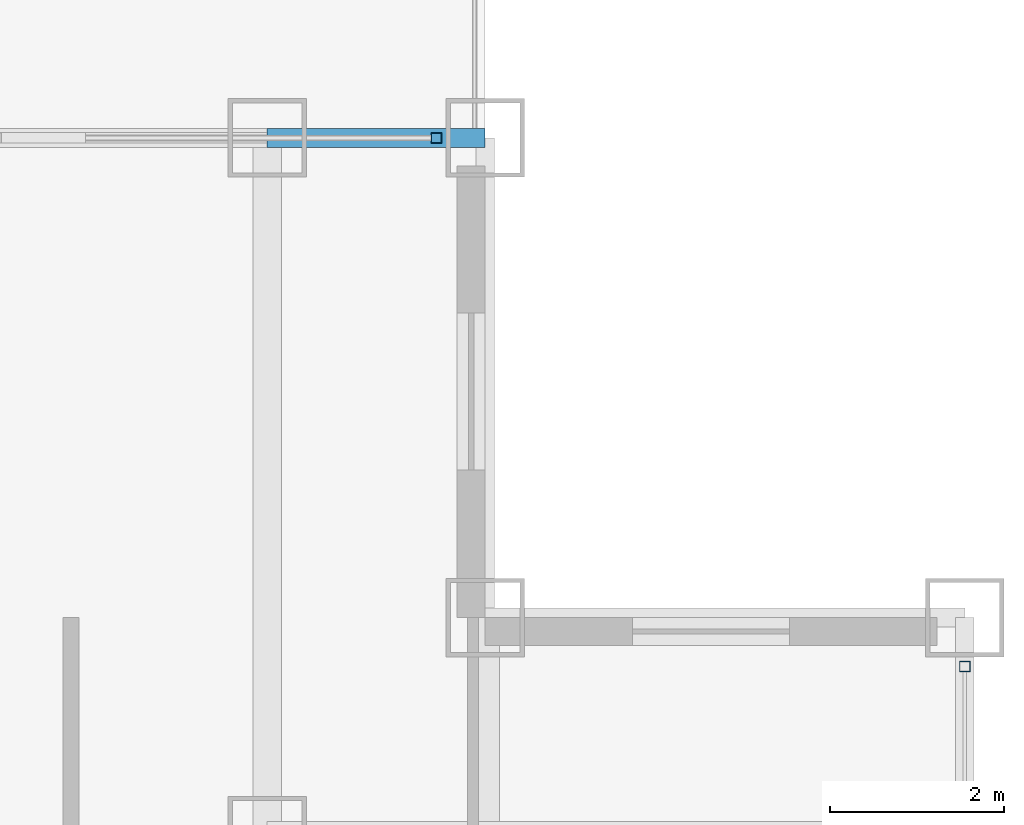
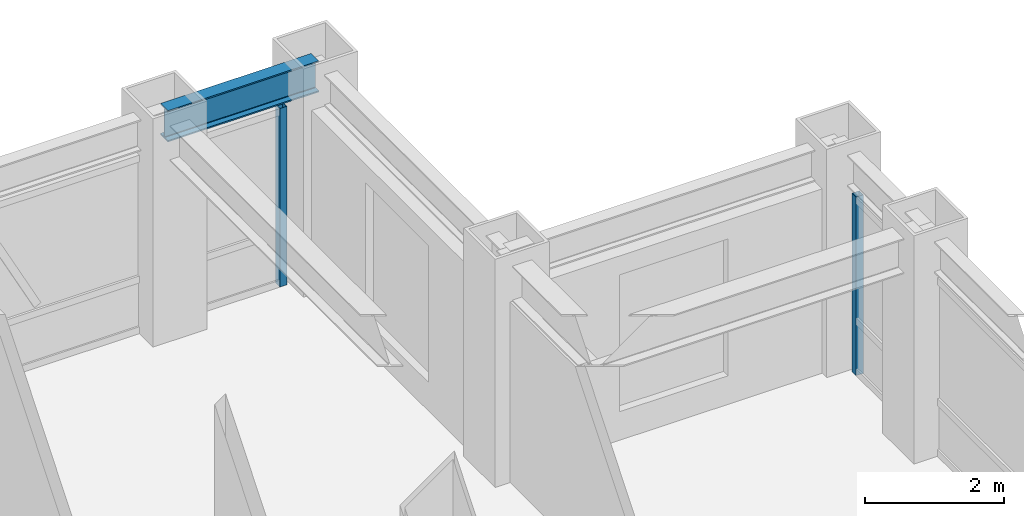
# One storey, part 24 of 32: 2 members, 1 beam, 2 elements without a shape of their own.
"""IFC4 building model written with IfcOpenShell, lengths in metres."""

import ifcopenshell
import ifcopenshell.guid

model = None  # the IFC model being written
_history = None  # IfcOwnerHistory: only IFC2X3 demands one
_inside = {}  # id of a spatial element -> (the spatial element, [elements in it])
_under = {}  # id of a project, library or spatial element -> (it, [spatial elements below it])
_declared = {}  # id of a project -> (the project, [libraries it declares])
_typed = {}  # id of a type object -> (the type object, [elements of that type])
_made_of = {}  # id of a material, layer set ... -> (it, [elements and type objects made of it])


def new_model(schema):
    """Start an empty IFC model of exactly this schema.

    Asked for "IFC4X3", IfcOpenShell would pick the latest addendum, in which some entities
    have other attributes; the version numbers below select the first issue.
    IFC2X3 requires an IfcOwnerHistory on every rooted entity: one is made here for all.
    """
    global model, _history
    if schema == "IFC4X3":
        model = ifcopenshell.file(schema_version=(4, 3, 0, 0))
    else:
        model = ifcopenshell.file(schema=schema)
    _inside.clear()
    _under.clear()
    _declared.clear()
    _typed.clear()
    _made_of.clear()
    _history = None
    if model.schema == "IFC2X3":
        org = make("IfcOrganization", Name="unknown")
        user = make(
            "IfcPersonAndOrganization",
            ThePerson=make("IfcPerson", FamilyName="unknown"),
            TheOrganization=org,
        )
        app = make(
            "IfcApplication",
            ApplicationDeveloper=org,
            Version="unknown",
            ApplicationFullName="unknown",
            ApplicationIdentifier="unknown",
        )
        _history = make(
            "IfcOwnerHistory",
            OwningUser=user,
            OwningApplication=app,
            ChangeAction="ADDED",
            CreationDate=0,
        )
    return model


def make(cls, **values):
    """One entity of the class cls with the attributes given. An attribute that is None is left unset."""
    return model.create_entity(
        cls, **{name: value for name, value in values.items() if value is not None}
    )


def rooted(cls, **values):
    """An entity with a GlobalId (a new one), such as an element, a storey or a relation."""
    return make(cls, GlobalId=ifcopenshell.guid.new(), OwnerHistory=_history, **values)


def si_unit(unit_type, name, prefix=None):
    """IfcSIUnit, for example si_unit("LENGTHUNIT", "METRE", prefix="MILLI")."""
    return make("IfcSIUnit", UnitType=unit_type, Prefix=prefix, Name=name)


def assignment(units):
    """IfcUnitAssignment: the units of a project."""
    return None if units is None else make("IfcUnitAssignment", Units=units)


def point(xyz):
    """IfcCartesianPoint."""
    return None if xyz is None else make("IfcCartesianPoint", Coordinates=xyz)


def direction(xyz):
    """IfcDirection."""
    return None if xyz is None else make("IfcDirection", DirectionRatios=xyz)


def frame(location, z_axis=None, x_axis=None):
    """IfcAxis2Placement3D, a coordinate frame: its origin and axes. An axis left out is left unset."""
    return make(
        "IfcAxis2Placement3D",
        Location=point(location),
        Axis=direction(z_axis),
        RefDirection=direction(x_axis),
    )


def frame_2d(location, x_axis=None):
    """IfcAxis2Placement2D, a coordinate frame in the plane: its origin and x axis."""
    return make(
        "IfcAxis2Placement2D", Location=point(location), RefDirection=direction(x_axis)
    )


def origin():
    """The frame at (0, 0, 0) with its axes left unset."""
    return frame((0.0, 0.0, 0.0))


def origin_2d():
    """The frame at (0, 0) in the plane with its x axis left unset."""
    return frame_2d((0.0, 0.0))


def place(relative_to, where):
    """IfcLocalPlacement: puts the frame where relative to a parent placement (None: the world)."""
    return make(
        "IfcLocalPlacement", PlacementRelTo=relative_to, RelativePlacement=where
    )


def context(
    kind, dimensions, precision=None, world=None, true_north=None, identifier=None
):
    """IfcGeometricRepresentationContext, for example the 3D "Model" context."""
    return make(
        "IfcGeometricRepresentationContext",
        ContextIdentifier=identifier,
        ContextType=kind,
        CoordinateSpaceDimension=dimensions,
        Precision=precision,
        WorldCoordinateSystem=world,
        TrueNorth=true_north,
    )


def subcontext(parent, identifier, kind, view, scale=None):
    """IfcGeometricRepresentationSubContext, for example "Body" below "Model"."""
    return make(
        "IfcGeometricRepresentationSubContext",
        ContextIdentifier=identifier,
        ContextType=kind,
        ParentContext=parent,
        TargetScale=scale,
        TargetView=view,
    )


def project(units=None, contexts=None):
    """IfcProject with its units and contexts."""
    return rooted(
        "IfcProject",
        Name="project",
        RepresentationContexts=contexts,
        UnitsInContext=assignment(units),
    )


def spatial(cls, under=None, at=None, **own):
    """A site, building, storey or space (cls), placed at a placement, below another one or the project."""
    s = rooted(cls, ObjectPlacement=at, **own)
    if under is not None:
        _under.setdefault(under.id(), (under, []))[1].append(s)
    return s


def profile(cls, at=None, kind="AREA", **sizes):
    """A parametric profile (cls). Its sizes go by their IFC names, for example OverallWidth=200.0."""
    return make(cls, ProfileType=kind, Position=at, **sizes)


def hollow_rectangle(**sizes):
    """IfcRectangleHollowProfileDef."""
    return profile("IfcRectangleHollowProfileDef", **sizes)


def i_section(**sizes):
    """IfcIShapeProfileDef."""
    return profile("IfcIShapeProfileDef", **sizes)


def extrude(swept, where, along, depth):
    """IfcExtrudedAreaSolid: the profile swept, set in the frame where, extruded along a direction by depth."""
    return make(
        "IfcExtrudedAreaSolid",
        SweptArea=swept,
        Position=where,
        ExtrudedDirection=direction(along),
        Depth=depth,
    )


def shape(context_of_items, identifier, shape_type, items):
    """IfcShapeRepresentation: the items that make up one representation, for example the "Body"."""
    return make(
        "IfcShapeRepresentation",
        ContextOfItems=context_of_items,
        RepresentationIdentifier=identifier,
        RepresentationType=shape_type,
        Items=items,
    )


def source(mapping_origin, context_of_items, identifier, shape_type, items):
    """IfcRepresentationMap: a shape defined once, which mapped items show again and again."""
    return make(
        "IfcRepresentationMap",
        MappingOrigin=mapping_origin,
        MappedRepresentation=shape(context_of_items, identifier, shape_type, items),
    )


def transform(
    local_origin,
    x_axis=None,
    y_axis=None,
    z_axis=None,
    scale=None,
    scale2=None,
    scale3=None,
    uniform=True,
):
    """IfcCartesianTransformationOperator3D, or its non-uniform kind. x_axis, y_axis, z_axis: its Axis1, 2, 3."""
    if uniform:
        return make(
            "IfcCartesianTransformationOperator3D",
            Axis1=direction(x_axis),
            Axis2=direction(y_axis),
            LocalOrigin=point(local_origin),
            Scale=scale,
            Axis3=direction(z_axis),
        )
    return make(
        "IfcCartesianTransformationOperator3DnonUniform",
        Axis1=direction(x_axis),
        Axis2=direction(y_axis),
        LocalOrigin=point(local_origin),
        Scale=scale,
        Axis3=direction(z_axis),
        Scale2=scale2,
        Scale3=scale3,
    )


def mapped(mapping_source, mapping_target):
    """IfcMappedItem: shows the shape of a source again, moved by a transform."""
    return make(
        "IfcMappedItem", MappingSource=mapping_source, MappingTarget=mapping_target
    )


def material(Name=None, Category=None):
    """IfcMaterial."""
    return make("IfcMaterial", Name=Name, Category=Category)


def material_profile(
    of_material, cross_section, Name=None, Category=None, Priority=None
):
    """IfcMaterialProfile: a cross section and its material."""
    return make(
        "IfcMaterialProfile",
        Name=Name,
        Material=of_material,
        Profile=cross_section,
        Priority=Priority,
        Category=Category,
    )


def profile_set(profiles, Name=None, composite=None):
    """IfcMaterialProfileSet."""
    return make(
        "IfcMaterialProfileSet",
        Name=Name,
        MaterialProfiles=profiles,
        CompositeProfile=composite,
    )


def made_of(thing, what):
    """Note that an element or type object is made of a material, layer set ...; save() writes the relation."""
    if what is not None:
        _made_of.setdefault(what.id(), (what, []))[1].append(thing)
    return thing


def type_object(cls, material=None, **own):
    """A type object (cls), such as IfcWallType, which elements share."""
    return made_of(rooted(cls, **own), material)


def element(
    cls,
    number,
    at=None,
    inside=None,
    cuts=None,
    type_object=None,
    material=None,
    context=None,
    identifier="Body",
    shape_type=None,
    held_by="IfcProductDefinitionShape",
    body=None,
    shapes=None,
    **own,
):
    """One element of the class cls, such as IfcWall. Its Tag is "e" and its number.

    at: its placement. inside: the storey or other place that contains it. cuts: it is an
    opening in that element (IfcRelVoidsElement). A single representation is given by context,
    identifier, shape_type and body (its items); several are given by shapes. held_by: the class
    of the entity that holds the representations. save() writes the other relations.
    """
    e = rooted(cls, Tag="e%d" % number, ObjectPlacement=at, **own)
    if body is not None:
        shapes = [shape(context, identifier, shape_type, body)]
    if shapes is not None:
        e.Representation = make(held_by, Representations=shapes)
    if inside is not None:
        _inside.setdefault(inside.id(), (inside, []))[1].append(e)
    if cuts is not None:
        rooted(
            "IfcRelVoidsElement", RelatingBuildingElement=cuts, RelatedOpeningElement=e
        )
    if type_object is not None:
        _typed.setdefault(type_object.id(), (type_object, []))[1].append(e)
    return made_of(e, material)


def aggregate(whole, parts):
    """IfcRelAggregates: a whole, such as a stair, and the parts it consists of."""
    return rooted("IfcRelAggregates", RelatingObject=whole, RelatedObjects=parts)


def save(model, path):
    """Write the relations noted so far, then the file.

    IfcRelAggregates (storeys below a building ...), IfcRelContainedInSpatialStructure (elements
    in a storey), IfcRelDefinesByType, IfcRelAssociatesMaterial and IfcRelDeclares: one each for
    every whole, place, type object, material and project.
    """
    for whole, parts in _under.values():
        aggregate(whole, parts)
    for where, things in _inside.values():
        rooted(
            "IfcRelContainedInSpatialStructure",
            RelatedElements=things,
            RelatingStructure=where,
        )
    for kind, things in _typed.values():
        rooted("IfcRelDefinesByType", RelatedObjects=things, RelatingType=kind)
    for what, things in _made_of.values():
        rooted("IfcRelAssociatesMaterial", RelatedObjects=things, RelatingMaterial=what)
    for by, libraries in _declared.values():
        rooted("IfcRelDeclares", RelatingContext=by, RelatedDefinitions=libraries)
    model.write(path)


model = new_model("IFC4")

# Units and contexts
model_context = context("Model", 3, precision=1e-05, world=origin(), true_north=direction((0.0, 1.0)))
body_context = subcontext(model_context, "Body", "Model", "MODEL_VIEW")
ifc_project = project(units=[si_unit("LENGTHUNIT", "METRE"), si_unit("AREAUNIT", "SQUARE_METRE"), si_unit("VOLUMEUNIT", "CUBIC_METRE"), si_unit("PLANEANGLEUNIT", "RADIAN"), si_unit("MASSUNIT", "GRAM", prefix="KILO")], contexts=[model_context])

# Site, building, storey
site_placement = place(None, origin())
site = spatial("IfcSite", under=ifc_project, at=site_placement, CompositionType="ELEMENT")
building_placement = place(site_placement, origin())
building = spatial("IfcBuilding", under=site, at=building_placement, Name="Khorayat Bourse Tower", CompositionType="ELEMENT")
storey_placement = place(building_placement, frame((0.0, 0.0, 273.5)))
storey = spatial("IfcBuildingStorey", under=building, at=storey_placement, Name="L64", CompositionType="ELEMENT", Elevation=273.5)

# Beam
ifc_material_1 = material(Name="Steel ASTM A992 Grade 50", Category="steel")
ifc_material_profile_1 = material_profile(ifc_material_1, i_section(OverallWidth=0.214111328125, OverallDepth=0.549072265625, WebThickness=0.0146484375, FlangeThickness=0.023681640625, FilletRadius=0.013916015625, at=origin_2d()), Name="W530X138")
ifc_profile_set_1 = profile_set([ifc_material_profile_1], Name="Steel ASTM A992 Grade 50")
beam_type = type_object("IfcBeamType", Name="BM-SPAN-530", PredefinedType="SPANDREL", material=ifc_profile_set_1)
shared_shape_1 = source(origin(), body_context, "Body", "SweptSolid", [
    extrude(i_section(OverallWidth=0.214111328125, OverallDepth=0.549072265625, WebThickness=0.0146484375, FlangeThickness=0.023681640625, FilletRadius=0.013916015625, at=origin_2d()), origin(), (0.0, 0.0, 1.0), 2.5),
])
beam_placement = place(storey_placement, frame((20.0, 28.0, 3.505615234375), z_axis=(1.0, 0.0, 0.0), x_axis=(0.0, 1.0, 0.0)))
element("IfcBeam", 1, at=beam_placement, inside=storey, type_object=beam_type, Name="L64 BM-SPAN-530 BM-L64-SPN-044", PredefinedType="SPANDREL", context=body_context, shape_type="MappedRepresentation", body=[
    mapped(shared_shape_1, transform((0.0, 0.0, 0.0), scale=1.0)),
])

# Curtain wall, member
ifc_material_2 = material(Name="Aluminium EN AW-6063 T6", Category="aluminium")
curtain_wall_type = type_object("IfcCurtainWallType", Name="CW-SYS-04", PredefinedType="NOTDEFINED", material=ifc_material_2)
curtain_wall_1_placement = place(storey_placement, origin())
curtain_wall_1 = element("IfcCurtainWall", 2, at=curtain_wall_1_placement, inside=storey, type_object=curtain_wall_type, Name="L64 Curtain Wall CW-L64-N2", PredefinedType="NOTDEFINED")
ifc_material_profile_2 = material_profile(ifc_material_2, hollow_rectangle(XDim=0.1201171875, YDim=0.1201171875, WallThickness=0.0048828125, at=origin_2d()), Name="ALU 120x120x5")
ifc_profile_set_2 = profile_set([ifc_material_profile_2], Name="Aluminium EN AW-6063 T6")
member_type = type_object("IfcMemberType", Name="CWM-VERT-120", PredefinedType="MULLION", material=ifc_profile_set_2)
shared_shape_2 = source(origin(), body_context, "Body", "SweptSolid", [
    extrude(hollow_rectangle(XDim=0.1201171875, YDim=0.1201171875, WallThickness=0.0048828125, at=origin_2d()), origin(), (0.0, 0.0, 1.0), 3.1298828125),
])
member_1_placement = place(storey_placement, frame((21.93994140625, 28.0, 0.0), z_axis=(0.0, 0.0, 1.0), x_axis=(0.0, 1.0, 0.0)))
member_1 = element("IfcMember", 3, at=member_1_placement, type_object=member_type, Name="CW-L64-N2 Vertical Mullion 3", PredefinedType="MULLION", context=body_context, shape_type="MappedRepresentation", body=[
    mapped(shared_shape_2, transform((0.0, 0.0, 0.0), scale=1.0)),
])
aggregate(curtain_wall_1, [member_1])

curtain_wall_2_placement = place(storey_placement, origin())
curtain_wall_2 = element("IfcCurtainWall", 4, at=curtain_wall_2_placement, inside=storey, type_object=curtain_wall_type, Name="L64 Curtain Wall CW-L64-E1", PredefinedType="NOTDEFINED")
member_2_placement = place(storey_placement, frame((28.0, 21.93994140625, 0.0), z_axis=(0.0, 0.0, 1.0), x_axis=(-1.0, 0.0, 0.0)))
member_2 = element("IfcMember", 5, at=member_2_placement, type_object=member_type, Name="CW-L64-E1 Vertical Mullion 3", PredefinedType="MULLION", context=body_context, shape_type="MappedRepresentation", body=[
    mapped(shared_shape_2, transform((0.0, 0.0, 0.0), scale=1.0)),
])
aggregate(curtain_wall_2, [member_2])

save(model, "model.ifc")
